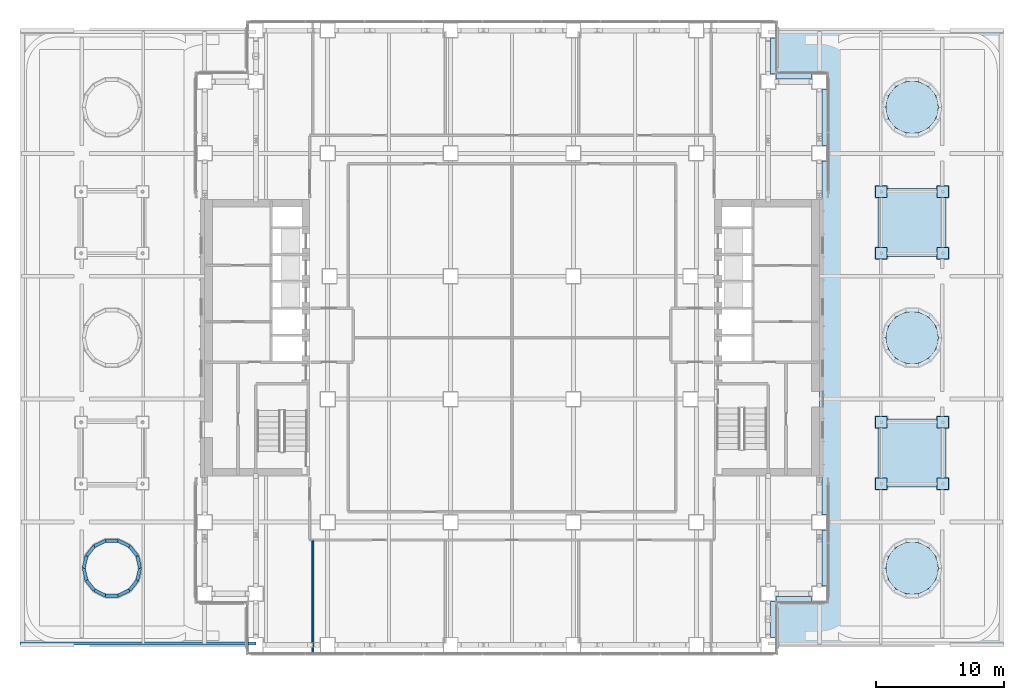
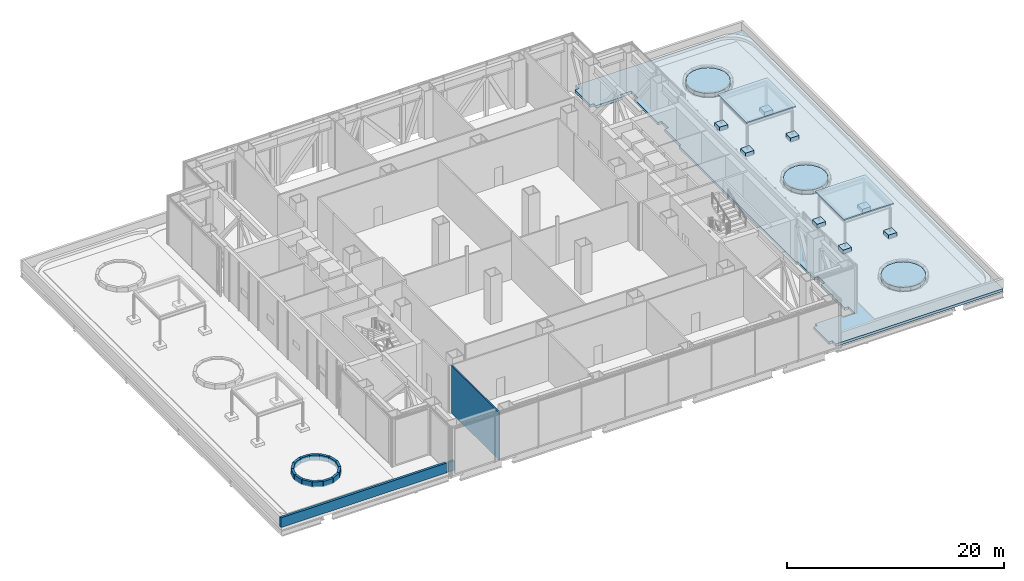
# One storey, part 23 of 39: 17 walls, 14 slabs.
"""IFC4 building model written with IfcOpenShell, lengths in metres."""

from ifc_helpers import new_model, si_unit, direction, frame, frame_2d, origin, place, context, subcontext, project, spatial, polyline, rectangle, outline, extrude, material, layer, layer_set, type_object, element, save


model = new_model("IFC4")

# Units and contexts
model_context = context("Model", 3, precision=1e-05, world=origin(), true_north=direction((0.0, 1.0)))
body_context = subcontext(model_context, "Body", "Model", "MODEL_VIEW")
ifc_project = project(units=[si_unit("LENGTHUNIT", "METRE"), si_unit("AREAUNIT", "SQUARE_METRE"), si_unit("VOLUMEUNIT", "CUBIC_METRE"), si_unit("PLANEANGLEUNIT", "RADIAN"), si_unit("MASSUNIT", "GRAM", prefix="KILO")], contexts=[model_context])

# Site, building, storey
site_placement = place(None, origin())
site = spatial("IfcSite", under=ifc_project, at=site_placement, CompositionType="ELEMENT")
building_placement = place(site_placement, origin())
building = spatial("IfcBuilding", under=site, at=building_placement, Name="Cobrizo Arcos Hotel Tower", CompositionType="ELEMENT")
storey_placement = place(building_placement, frame((0.0, 0.0, 33.5)))
storey = spatial("IfcBuildingStorey", under=building, at=storey_placement, Name="L06", CompositionType="ELEMENT", Elevation=33.5)

# Slabs
ifc_material_1 = material(Name="Concrete f'c 35 MPa", Category="concrete")
ifc_layer_1 = layer(ifc_material_1, 0.449951171875)
ifc_layer_set_1 = layer_set([ifc_layer_1], Name="Pavilion column plinth 900 x 900 x 450")
slab_type_1 = type_object("IfcSlabType", Name="Pavilion column plinth 900 x 900 x 450", PredefinedType="BASESLAB", material=ifc_layer_set_1)
slab_1_placement = place(storey_placement, origin())
element("IfcSlab", 1, at=slab_1_placement, inside=storey, type_object=slab_type_1, Name="Pavilion 3 column plinth 1", PredefinedType="BASESLAB", context=body_context, shape_type="SweptSolid", body=[
    extrude(outline(polyline([(29.300048828125, -11.85009765625), (29.300048828125, -10.949951171875), (28.39990234375, -10.949951171875), (28.39990234375, -11.85009765625), (29.300048828125, -11.85009765625)])), origin(), (0.0, 0.0, 1.0), 0.449951171875),
])
slab_2_placement = place(storey_placement, origin())
element("IfcSlab", 2, at=slab_2_placement, inside=storey, type_object=slab_type_1, Name="Pavilion 3 column plinth 2", PredefinedType="BASESLAB", context=body_context, shape_type="SweptSolid", body=[
    extrude(outline(polyline([(34.10009765625, -11.85009765625), (34.10009765625, -10.949951171875), (33.199951171875, -10.949951171875), (33.199951171875, -11.85009765625), (34.10009765625, -11.85009765625)])), origin(), (0.0, 0.0, 1.0), 0.449951171875),
])
slab_3_placement = place(storey_placement, origin())
element("IfcSlab", 3, at=slab_3_placement, inside=storey, type_object=slab_type_1, Name="Pavilion 3 column plinth 3", PredefinedType="BASESLAB", context=body_context, shape_type="SweptSolid", body=[
    extrude(outline(polyline([(34.10009765625, -7.050048828125), (34.10009765625, -6.14990234375), (33.199951171875, -6.14990234375), (33.199951171875, -7.050048828125), (34.10009765625, -7.050048828125)])), origin(), (0.0, 0.0, 1.0), 0.449951171875),
])
slab_4_placement = place(storey_placement, origin())
element("IfcSlab", 4, at=slab_4_placement, inside=storey, type_object=slab_type_1, Name="Pavilion 3 column plinth 4", PredefinedType="BASESLAB", context=body_context, shape_type="SweptSolid", body=[
    extrude(outline(polyline([(29.300048828125, -7.050048828125), (29.300048828125, -6.14990234375), (28.39990234375, -6.14990234375), (28.39990234375, -7.050048828125), (29.300048828125, -7.050048828125)])), origin(), (0.0, 0.0, 1.0), 0.449951171875),
])
slab_5_placement = place(storey_placement, origin())
element("IfcSlab", 5, at=slab_5_placement, inside=storey, type_object=slab_type_1, Name="Pavilion 4 column plinth 1", PredefinedType="BASESLAB", context=body_context, shape_type="SweptSolid", body=[
    extrude(outline(polyline([(29.300048828125, 6.14990234375), (29.300048828125, 7.050048828125), (28.39990234375, 7.050048828125), (28.39990234375, 6.14990234375), (29.300048828125, 6.14990234375)])), origin(), (0.0, 0.0, 1.0), 0.449951171875),
])
slab_6_placement = place(storey_placement, origin())
element("IfcSlab", 6, at=slab_6_placement, inside=storey, type_object=slab_type_1, Name="Pavilion 4 column plinth 2", PredefinedType="BASESLAB", context=body_context, shape_type="SweptSolid", body=[
    extrude(outline(polyline([(34.10009765625, 6.14990234375), (34.10009765625, 7.050048828125), (33.199951171875, 7.050048828125), (33.199951171875, 6.14990234375), (34.10009765625, 6.14990234375)])), origin(), (0.0, 0.0, 1.0), 0.449951171875),
])
slab_7_placement = place(storey_placement, origin())
element("IfcSlab", 7, at=slab_7_placement, inside=storey, type_object=slab_type_1, Name="Pavilion 4 column plinth 3", PredefinedType="BASESLAB", context=body_context, shape_type="SweptSolid", body=[
    extrude(outline(polyline([(34.10009765625, 10.949951171875), (34.10009765625, 11.85009765625), (33.199951171875, 11.85009765625), (33.199951171875, 10.949951171875), (34.10009765625, 10.949951171875)])), origin(), (0.0, 0.0, 1.0), 0.449951171875),
])
slab_8_placement = place(storey_placement, origin())
element("IfcSlab", 8, at=slab_8_placement, inside=storey, type_object=slab_type_1, Name="Pavilion 4 column plinth 4", PredefinedType="BASESLAB", context=body_context, shape_type="SweptSolid", body=[
    extrude(outline(polyline([(29.300048828125, 10.949951171875), (29.300048828125, 11.85009765625), (28.39990234375, 11.85009765625), (28.39990234375, 10.949951171875), (29.300048828125, 10.949951171875)])), origin(), (0.0, 0.0, 1.0), 0.449951171875),
])
ifc_material_2 = material(Name="Reinforced concrete C40/50", Category="concrete")
ifc_layer_2 = layer(ifc_material_2, 0.14990234375)
ifc_layer_set_2 = layer_set([ifc_layer_2], Name="Pavilion roof slab 150")
slab_type_2 = type_object("IfcSlabType", Name="Pavilion roof slab 150", PredefinedType="ROOF", material=ifc_layer_set_2)
slab_9_placement = place(storey_placement, frame((0.0, 0.0, 3.556396484375)))
element("IfcSlab", 9, at=slab_9_placement, inside=storey, type_object=slab_type_2, Name="Pavilion 3 roof", PredefinedType="ROOF", context=body_context, shape_type="SweptSolid", body=[
    extrude(outline(polyline([(28.60009765625, -11.64990234375), (33.89990234375, -11.64990234375), (33.89990234375, -6.35009765625), (28.60009765625, -6.35009765625), (28.60009765625, -11.64990234375)])), origin(), (0.0, 0.0, 1.0), 0.14990234375),
])
slab_10_placement = place(storey_placement, frame((0.0, 0.0, 3.556396484375)))
element("IfcSlab", 10, at=slab_10_placement, inside=storey, type_object=slab_type_2, Name="Pavilion 4 roof", PredefinedType="ROOF", context=body_context, shape_type="SweptSolid", body=[
    extrude(outline(polyline([(28.60009765625, 6.35009765625), (33.89990234375, 6.35009765625), (33.89990234375, 11.64990234375), (28.60009765625, 11.64990234375), (28.60009765625, 6.35009765625)])), origin(), (0.0, 0.0, 1.0), 0.14990234375),
])
ifc_material_3 = material(Name="Planting soil")
ifc_layer_3 = layer(ifc_material_3, 0.449951171875)
ifc_layer_set_3 = layer_set([ifc_layer_3], Name="Planting bed 450")
slab_type_3 = type_object("IfcSlabType", Name="Planting bed 450", PredefinedType="USERDEFINED", material=ifc_layer_set_3)
slab_11_placement = place(storey_placement, origin())
element("IfcSlab", 11, at=slab_11_placement, inside=storey, type_object=slab_type_3, Name="Planter 4 planting bed", ObjectType="PLANTER", PredefinedType="USERDEFINED", context=body_context, shape_type="SweptSolid", body=[
    extrude(outline(polyline([(33.304931640625, -18.0), (33.235107421875, -17.468017578125), (33.02978515625, -16.972412109375), (32.703125, -16.546875), (32.277587890625, -16.22021484375), (31.781982421875, -16.014892578125), (31.25, -15.945068359375), (30.718017578125, -16.014892578125), (30.222412109375, -16.22021484375), (29.796875, -16.546875), (29.47021484375, -16.972412109375), (29.264892578125, -17.468017578125), (29.195068359375, -18.0), (29.264892578125, -18.531982421875), (29.47021484375, -19.027587890625), (29.796875, -19.453125), (30.222412109375, -19.77978515625), (30.718017578125, -19.985107421875), (31.25, -20.054931640625), (31.781982421875, -19.985107421875), (32.277587890625, -19.77978515625), (32.703125, -19.453125), (33.02978515625, -19.027587890625), (33.235107421875, -18.531982421875), (33.304931640625, -18.0)])), origin(), (0.0, 0.0, 1.0), 0.449951171875),
])
slab_12_placement = place(storey_placement, origin())
element("IfcSlab", 12, at=slab_12_placement, inside=storey, type_object=slab_type_3, Name="Planter 5 planting bed", ObjectType="PLANTER", PredefinedType="USERDEFINED", context=body_context, shape_type="SweptSolid", body=[
    extrude(outline(polyline([(33.304931640625, 0.0), (33.235107421875, 0.531982421875), (33.02978515625, 1.027587890625), (32.703125, 1.453125), (32.277587890625, 1.77978515625), (31.781982421875, 1.985107421875), (31.25, 2.054931640625), (30.718017578125, 1.985107421875), (30.222412109375, 1.77978515625), (29.796875, 1.453125), (29.47021484375, 1.027587890625), (29.264892578125, 0.531982421875), (29.195068359375, 0.0), (29.264892578125, -0.531982421875), (29.47021484375, -1.027587890625), (29.796875, -1.453125), (30.222412109375, -1.77978515625), (30.718017578125, -1.985107421875), (31.25, -2.054931640625), (31.781982421875, -1.985107421875), (32.277587890625, -1.77978515625), (32.703125, -1.453125), (33.02978515625, -1.027587890625), (33.235107421875, -0.531982421875), (33.304931640625, 0.0)])), origin(), (0.0, 0.0, 1.0), 0.449951171875),
])
slab_13_placement = place(storey_placement, origin())
element("IfcSlab", 13, at=slab_13_placement, inside=storey, type_object=slab_type_3, Name="Planter 6 planting bed", ObjectType="PLANTER", PredefinedType="USERDEFINED", context=body_context, shape_type="SweptSolid", body=[
    extrude(outline(polyline([(33.304931640625, 18.0), (33.235107421875, 18.531982421875), (33.02978515625, 19.027587890625), (32.703125, 19.453125), (32.277587890625, 19.77978515625), (31.781982421875, 19.985107421875), (31.25, 20.054931640625), (30.718017578125, 19.985107421875), (30.222412109375, 19.77978515625), (29.796875, 19.453125), (29.47021484375, 19.027587890625), (29.264892578125, 18.531982421875), (29.195068359375, 18.0), (29.264892578125, 17.468017578125), (29.47021484375, 16.972412109375), (29.796875, 16.546875), (30.222412109375, 16.22021484375), (30.718017578125, 16.014892578125), (31.25, 15.945068359375), (31.781982421875, 16.014892578125), (32.277587890625, 16.22021484375), (32.703125, 16.546875), (33.02978515625, 16.972412109375), (33.235107421875, 17.468017578125), (33.304931640625, 18.0)])), origin(), (0.0, 0.0, 1.0), 0.449951171875),
])
ifc_layer_4 = layer(ifc_material_1, 0.300048828125)
ifc_layer_set_4 = layer_set([ifc_layer_4], Name="RC roof slab 300 f'c 35")
slab_type_4 = type_object("IfcSlabType", Name="RC roof slab 300 f'c 35", PredefinedType="ROOF", material=ifc_layer_set_4)
slab_14_placement = place(storey_placement, frame((0.0, 0.0, -0.300048828125)))
element("IfcSlab", 14, at=slab_14_placement, inside=storey, type_object=slab_type_4, Name="Roof slab RS2, L06, no. 01", PredefinedType="ROOF", context=body_context, shape_type="SweptSolid", body=[
    extrude(outline(polyline([(20.60009765625, -24.0), (20.60009765625, -23.39990234375), (20.200439453125, -23.39990234375), (20.200439453125, -20.60009765625), (20.60009765625, -20.60009765625), (20.60009765625, -20.200439453125), (23.39990234375, -20.200439453125), (23.39990234375, -20.60009765625), (24.60009765625, -20.60009765625), (24.60009765625, -19.39990234375), (24.200439453125, -19.39990234375), (24.200439453125, -15.0), (24.60009765625, -15.0), (24.60009765625, -13.800048828125), (24.200439453125, -13.800048828125), (24.200439453125, -10.801025390625), (24.0, -10.801025390625), (24.0, -10.800048828125), (24.0, 10.800048828125), (24.0, 10.801025390625), (24.200439453125, 10.801025390625), (24.200439453125, 13.800048828125), (24.60009765625, 13.800048828125), (24.60009765625, 15.0), (24.200439453125, 15.0), (24.200439453125, 19.39990234375), (24.60009765625, 19.39990234375), (24.60009765625, 20.60009765625), (23.39990234375, 20.60009765625), (23.39990234375, 20.200439453125), (20.60009765625, 20.200439453125), (20.60009765625, 20.60009765625), (20.200439453125, 20.60009765625), (20.200439453125, 23.39990234375), (20.60009765625, 23.39990234375), (20.60009765625, 24.0), (38.39990234375, 24.0), (38.39990234375, -24.0), (20.60009765625, -24.0)])), origin(), (0.0, 0.0, 1.0), 0.300048828125),
])

# Walls
ifc_material_4 = material(Name="Gypsum board partition")
ifc_layer_5 = layer(ifc_material_4, 0.14990234375)
ifc_layer_set_5 = layer_set([ifc_layer_5], Name="Corridor wall EI 60 150")
wall_type_1 = type_object("IfcWallType", Name="Corridor wall EI 60 150", PredefinedType="PARTITIONING", material=ifc_layer_set_5)
wall_1_placement = place(storey_placement, frame((-15.550048828125, -24.6298828125, 0.0), z_axis=(0.0, 0.0, 1.0), x_axis=(0.0, 1.0, 0.0)))
element("IfcWall", 15, at=wall_1_placement, inside=storey, type_object=wall_type_1, Name="Partition 037", PredefinedType="PARTITIONING", context=body_context, shape_type="SweptSolid", body=[
    extrude(rectangle(XDim=8.7548828125, YDim=0.14990234375, at=frame_2d((4.37744140625, 0.0))), origin(), (0.0, 0.0, 1.0), 5.35009765625),
])
ifc_material_5 = material(Name="Aluminium composite panel pale metal", Category="aluminium")
ifc_layer_6 = layer(ifc_material_5, 0.25)
ifc_layer_set_6 = layer_set([ifc_layer_6], Name="PW-1 parapet wall")
wall_type_2 = type_object("IfcWallType", Name="PW-1 parapet wall", PredefinedType="PARAPET", material=ifc_layer_set_6)
wall_2_placement = place(storey_placement, frame((-38.425048828125, -23.875, 0.0), z_axis=(0.0, 0.0, 1.0), x_axis=(1.0, 0.0, 0.0)))
element("IfcWall", 16, at=wall_2_placement, inside=storey, type_object=wall_type_2, Name="Parapet L05 S", PredefinedType="PARAPET", context=body_context, shape_type="SweptSolid", body=[
    extrude(rectangle(XDim=17.675048828125, YDim=0.25, at=frame_2d((8.83740234375, 0.0))), origin(), (0.0, 0.0, 1.0), 1.10009765625),
])
wall_3_placement = place(storey_placement, frame((-20.60009765625, -23.875, 0.0), z_axis=(0.0, 0.0, 1.0), x_axis=(1.0, 0.0, 0.0)))
element("IfcWall", 17, at=wall_3_placement, inside=storey, type_object=wall_type_2, Name="Parapet L05 S", PredefinedType="PARAPET", context=body_context, shape_type="SweptSolid", body=[
    extrude(rectangle(XDim=0.60009765625, YDim=0.25, at=frame_2d((0.300048828125, 0.0))), origin(), (0.0, 0.0, 1.0), 1.10009765625),
])
ifc_material_6 = material(Name="Precast concrete C40/50", Category="concrete")
ifc_layer_7 = layer(ifc_material_6, 0.25)
ifc_layer_set_7 = layer_set([ifc_layer_7], Name="Planter wall 250")
wall_type_3 = type_object("IfcWallType", Name="Planter wall 250", PredefinedType="SOLIDWALL", material=ifc_layer_set_7)
for number, where, z_axis, x_axis, name in (
    (18, (-29.050048828125, -18.0, 0.0), (0.0, 0.0, 1.0), (-0.222418551652, 0.974951274619, 0.0), "Planter wall 1-1"),
    (19, (-29.267822265625, -17.04541015625, 0.0), (0.0, 0.0, 1.0), (-0.623630158608, 0.781719531082, 0.0), "Planter wall 1-2"),
    (20, (-29.87841796875, -16.280029296875, 0.0), (0.0, 0.0, 1.0), (-0.900961956139, 0.433898091249, 0.0), "Planter wall 1-3"),
    (21, (-30.760498046875, -15.855224609375, 0.0), (0.0, 0.0, 1.0), (-1.0, 0.0, 0.0), "Planter wall 1-4"),
    (22, (-31.739501953125, -15.855224609375, 0.0), (0.0, 0.0, 1.0), (-0.900961956139, -0.433898091249, 0.0), "Planter wall 1-5"),
    (23, (-32.62158203125, -16.280029296875, 0.0), (0.0, 0.0, 1.0), (-0.623630158608, -0.781719531082, 0.0), "Planter wall 1-6"),
    (24, (-33.232177734375, -17.04541015625, 0.0), (0.0, 0.0, 1.0), (-0.222418551652, -0.974951274619, 0.0), "Planter wall 1-7"),
    (25, (-33.449951171875, -18.0, 0.0), (0.0, 0.0, 1.0), (0.222418551652, -0.974951274619, 0.0), "Planter wall 1-8"),
    (26, (-33.232177734375, -18.95458984375, 0.0), (0.0, 0.0, 1.0), (0.623630158608, -0.781719531082, 0.0), "Planter wall 1-9"),
    (27, (-32.62158203125, -19.719970703125, 0.0), (0.0, 0.0, 1.0), (0.900961956139, -0.433898091249, 0.0), "Planter wall 1-10"),
    (28, (-31.739501953125, -20.144775390625, 0.0), (0.0, 0.0, 1.0), (1.0, 0.0, 0.0), "Planter wall 1-11"),
    (29, (-30.760498046875, -20.144775390625, 0.0), (0.0, 0.0, 1.0), (0.900961956139, 0.433898091249, 0.0), "Planter wall 1-12"),
    (30, (-29.87841796875, -19.719970703125, 0.0), (0.0, 0.0, 1.0), (0.623630158608, 0.781719531082, 0.0), "Planter wall 1-13"),
    (31, (-29.267822265625, -18.95458984375, 0.0), (0.0, 0.0, 1.0), (0.222418551652, 0.974951274619, 0.0), "Planter wall 1-14"),
):
    element("IfcWall", number, at=place(storey_placement, frame(where, z_axis=z_axis, x_axis=x_axis)), inside=storey, type_object=wall_type_3, Name=name, PredefinedType="SOLIDWALL", context=body_context, shape_type="SweptSolid", body=[
        extrude(rectangle(XDim=0.97900390625, YDim=0.25, at=frame_2d((0.489501953125, 0.0))), origin(), (0.0, 0.0, 1.0), 0.60009765625),
    ])

save(model, "model.ifc")
